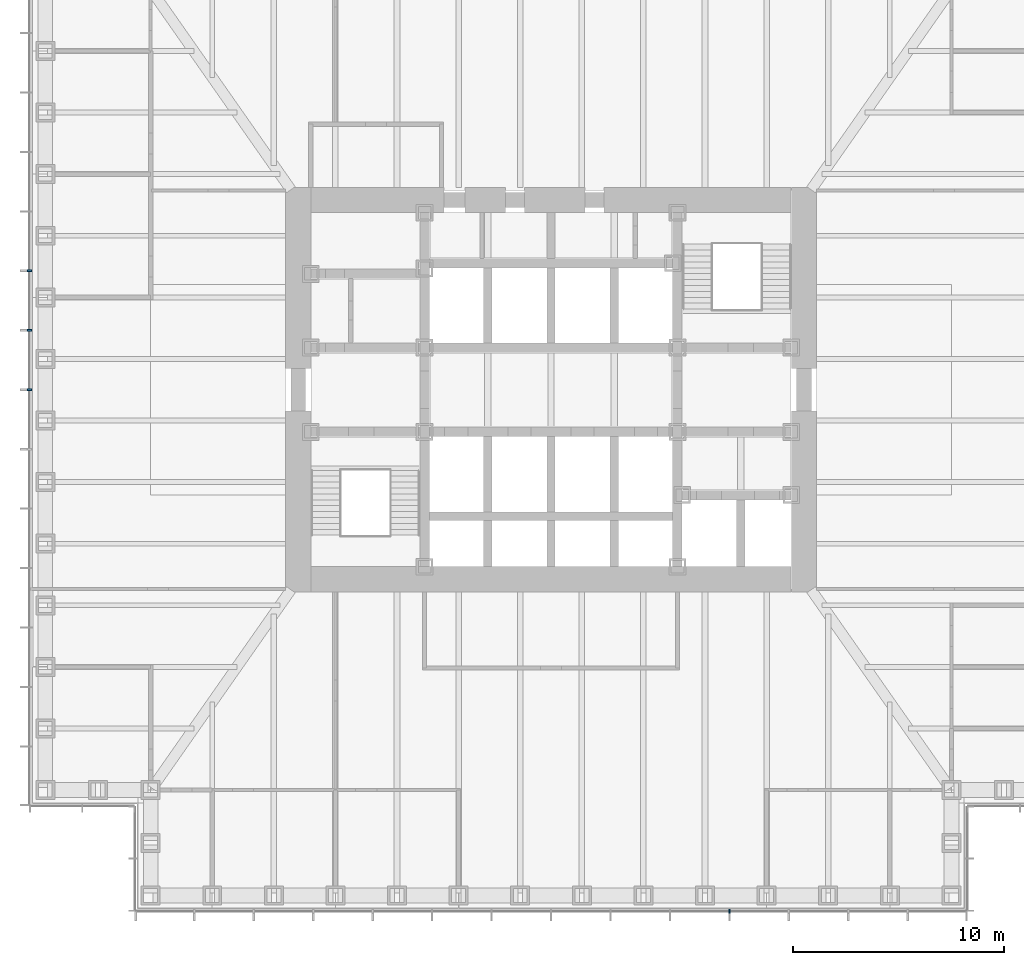
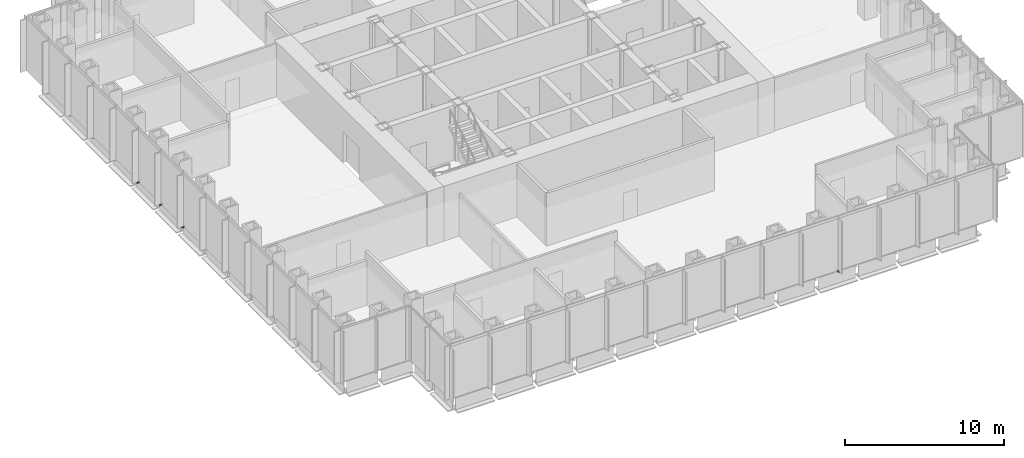
# One storey, part 13 of 17: 4 discrete accessories.
"""IFC4 building model written with IfcOpenShell, lengths in metres."""

import ifcopenshell
import ifcopenshell.guid

model = None  # the IFC model being written
_history = None  # IfcOwnerHistory: only IFC2X3 demands one
_inside = {}  # id of a spatial element -> (the spatial element, [elements in it])
_under = {}  # id of a project, library or spatial element -> (it, [spatial elements below it])
_declared = {}  # id of a project -> (the project, [libraries it declares])
_typed = {}  # id of a type object -> (the type object, [elements of that type])
_made_of = {}  # id of a material, layer set ... -> (it, [elements and type objects made of it])


def new_model(schema):
    """Start an empty IFC model of exactly this schema.

    Asked for "IFC4X3", IfcOpenShell would pick the latest addendum, in which some entities
    have other attributes; the version numbers below select the first issue.
    IFC2X3 requires an IfcOwnerHistory on every rooted entity: one is made here for all.
    """
    global model, _history
    if schema == "IFC4X3":
        model = ifcopenshell.file(schema_version=(4, 3, 0, 0))
    else:
        model = ifcopenshell.file(schema=schema)
    _inside.clear()
    _under.clear()
    _declared.clear()
    _typed.clear()
    _made_of.clear()
    _history = None
    if model.schema == "IFC2X3":
        org = make("IfcOrganization", Name="unknown")
        user = make(
            "IfcPersonAndOrganization",
            ThePerson=make("IfcPerson", FamilyName="unknown"),
            TheOrganization=org,
        )
        app = make(
            "IfcApplication",
            ApplicationDeveloper=org,
            Version="unknown",
            ApplicationFullName="unknown",
            ApplicationIdentifier="unknown",
        )
        _history = make(
            "IfcOwnerHistory",
            OwningUser=user,
            OwningApplication=app,
            ChangeAction="ADDED",
            CreationDate=0,
        )
    return model


def make(cls, **values):
    """One entity of the class cls with the attributes given. An attribute that is None is left unset."""
    return model.create_entity(
        cls, **{name: value for name, value in values.items() if value is not None}
    )


def rooted(cls, **values):
    """An entity with a GlobalId (a new one), such as an element, a storey or a relation."""
    return make(cls, GlobalId=ifcopenshell.guid.new(), OwnerHistory=_history, **values)


def si_unit(unit_type, name, prefix=None):
    """IfcSIUnit, for example si_unit("LENGTHUNIT", "METRE", prefix="MILLI")."""
    return make("IfcSIUnit", UnitType=unit_type, Prefix=prefix, Name=name)


def assignment(units):
    """IfcUnitAssignment: the units of a project."""
    return None if units is None else make("IfcUnitAssignment", Units=units)


def point(xyz):
    """IfcCartesianPoint."""
    return None if xyz is None else make("IfcCartesianPoint", Coordinates=xyz)


def direction(xyz):
    """IfcDirection."""
    return None if xyz is None else make("IfcDirection", DirectionRatios=xyz)


def frame(location, z_axis=None, x_axis=None):
    """IfcAxis2Placement3D, a coordinate frame: its origin and axes. An axis left out is left unset."""
    return make(
        "IfcAxis2Placement3D",
        Location=point(location),
        Axis=direction(z_axis),
        RefDirection=direction(x_axis),
    )


def frame_2d(location, x_axis=None):
    """IfcAxis2Placement2D, a coordinate frame in the plane: its origin and x axis."""
    return make(
        "IfcAxis2Placement2D", Location=point(location), RefDirection=direction(x_axis)
    )


def origin():
    """The frame at (0, 0, 0) with its axes left unset."""
    return frame((0.0, 0.0, 0.0))


def origin_2d():
    """The frame at (0, 0) in the plane with its x axis left unset."""
    return frame_2d((0.0, 0.0))


def place(relative_to, where):
    """IfcLocalPlacement: puts the frame where relative to a parent placement (None: the world)."""
    return make(
        "IfcLocalPlacement", PlacementRelTo=relative_to, RelativePlacement=where
    )


def context(
    kind, dimensions, precision=None, world=None, true_north=None, identifier=None
):
    """IfcGeometricRepresentationContext, for example the 3D "Model" context."""
    return make(
        "IfcGeometricRepresentationContext",
        ContextIdentifier=identifier,
        ContextType=kind,
        CoordinateSpaceDimension=dimensions,
        Precision=precision,
        WorldCoordinateSystem=world,
        TrueNorth=true_north,
    )


def subcontext(parent, identifier, kind, view, scale=None):
    """IfcGeometricRepresentationSubContext, for example "Body" below "Model"."""
    return make(
        "IfcGeometricRepresentationSubContext",
        ContextIdentifier=identifier,
        ContextType=kind,
        ParentContext=parent,
        TargetScale=scale,
        TargetView=view,
    )


def project(units=None, contexts=None):
    """IfcProject with its units and contexts."""
    return rooted(
        "IfcProject",
        Name="project",
        RepresentationContexts=contexts,
        UnitsInContext=assignment(units),
    )


def spatial(cls, under=None, at=None, **own):
    """A site, building, storey or space (cls), placed at a placement, below another one or the project."""
    s = rooted(cls, ObjectPlacement=at, **own)
    if under is not None:
        _under.setdefault(under.id(), (under, []))[1].append(s)
    return s


def profile(cls, at=None, kind="AREA", **sizes):
    """A parametric profile (cls). Its sizes go by their IFC names, for example OverallWidth=200.0."""
    return make(cls, ProfileType=kind, Position=at, **sizes)


def rectangle(**sizes):
    """IfcRectangleProfileDef."""
    return profile("IfcRectangleProfileDef", **sizes)


def extrude(swept, where, along, depth):
    """IfcExtrudedAreaSolid: the profile swept, set in the frame where, extruded along a direction by depth."""
    return make(
        "IfcExtrudedAreaSolid",
        SweptArea=swept,
        Position=where,
        ExtrudedDirection=direction(along),
        Depth=depth,
    )


def shape(context_of_items, identifier, shape_type, items):
    """IfcShapeRepresentation: the items that make up one representation, for example the "Body"."""
    return make(
        "IfcShapeRepresentation",
        ContextOfItems=context_of_items,
        RepresentationIdentifier=identifier,
        RepresentationType=shape_type,
        Items=items,
    )


def made_of(thing, what):
    """Note that an element or type object is made of a material, layer set ...; save() writes the relation."""
    if what is not None:
        _made_of.setdefault(what.id(), (what, []))[1].append(thing)
    return thing


def element(
    cls,
    number,
    at=None,
    inside=None,
    cuts=None,
    type_object=None,
    material=None,
    context=None,
    identifier="Body",
    shape_type=None,
    held_by="IfcProductDefinitionShape",
    body=None,
    shapes=None,
    **own,
):
    """One element of the class cls, such as IfcWall. Its Tag is "e" and its number.

    at: its placement. inside: the storey or other place that contains it. cuts: it is an
    opening in that element (IfcRelVoidsElement). A single representation is given by context,
    identifier, shape_type and body (its items); several are given by shapes. held_by: the class
    of the entity that holds the representations. save() writes the other relations.
    """
    e = rooted(cls, Tag="e%d" % number, ObjectPlacement=at, **own)
    if body is not None:
        shapes = [shape(context, identifier, shape_type, body)]
    if shapes is not None:
        e.Representation = make(held_by, Representations=shapes)
    if inside is not None:
        _inside.setdefault(inside.id(), (inside, []))[1].append(e)
    if cuts is not None:
        rooted(
            "IfcRelVoidsElement", RelatingBuildingElement=cuts, RelatedOpeningElement=e
        )
    if type_object is not None:
        _typed.setdefault(type_object.id(), (type_object, []))[1].append(e)
    return made_of(e, material)


def aggregate(whole, parts):
    """IfcRelAggregates: a whole, such as a stair, and the parts it consists of."""
    return rooted("IfcRelAggregates", RelatingObject=whole, RelatedObjects=parts)


def save(model, path):
    """Write the relations noted so far, then the file.

    IfcRelAggregates (storeys below a building ...), IfcRelContainedInSpatialStructure (elements
    in a storey), IfcRelDefinesByType, IfcRelAssociatesMaterial and IfcRelDeclares: one each for
    every whole, place, type object, material and project.
    """
    for whole, parts in _under.values():
        aggregate(whole, parts)
    for where, things in _inside.values():
        rooted(
            "IfcRelContainedInSpatialStructure",
            RelatedElements=things,
            RelatingStructure=where,
        )
    for kind, things in _typed.values():
        rooted("IfcRelDefinesByType", RelatedObjects=things, RelatingType=kind)
    for what, things in _made_of.values():
        rooted("IfcRelAssociatesMaterial", RelatedObjects=things, RelatingMaterial=what)
    for by, libraries in _declared.values():
        rooted("IfcRelDeclares", RelatingContext=by, RelatedDefinitions=libraries)
    model.write(path)


model = new_model("IFC4")

# Units and contexts
model_context = context("Model", 3, precision=1e-05, world=origin(), true_north=direction((0.0, 1.0)))
body_context = subcontext(model_context, "Body", "Model", "MODEL_VIEW")
ifc_project = project(units=[si_unit("LENGTHUNIT", "METRE"), si_unit("AREAUNIT", "SQUARE_METRE"), si_unit("VOLUMEUNIT", "CUBIC_METRE"), si_unit("PLANEANGLEUNIT", "RADIAN"), si_unit("MASSUNIT", "GRAM", prefix="KILO")], contexts=[model_context])

# Site, building, storey
site_placement = place(None, origin())
site = spatial("IfcSite", under=ifc_project, at=site_placement, CompositionType="ELEMENT")
building_placement = place(site_placement, origin())
building = spatial("IfcBuilding", under=site, at=building_placement, Name="Daluyong Arena Tower", CompositionType="ELEMENT")
storey_placement = place(building_placement, frame((0.0, 0.0, 89.5)))
storey = spatial("IfcBuildingStorey", under=building, at=storey_placement, Name="L19", CompositionType="ELEMENT", Elevation=89.5)

# Discrete accessories
for number, where, z_axis, x_axis, name in (
    (1, (64.46435546875, 55.25, -0.10009765625), (0.0, 0.0, 1.0), (1.0, 0.0, 0.0), "curtain wall L19 S anchor bracket 11"),
    (2, (31.25, 85.642822265625, -0.10009765625), (0.0, 0.0, 1.0), (0.0, -1.0, 0.0), "curtain wall L19 W anchor bracket 6"),
    (3, (31.25, 82.821533203125, -0.10009765625), (0.0, 0.0, 1.0), (0.0, -1.0, 0.0), "curtain wall L19 W anchor bracket 7"),
    (4, (31.25, 80.0, -0.10009765625), (0.0, 0.0, 1.0), (0.0, -1.0, 0.0), "curtain wall L19 W anchor bracket 8"),
):
    element("IfcDiscreteAccessory", number, at=place(storey_placement, frame(where, z_axis=z_axis, x_axis=x_axis)), inside=storey, Name=name, PredefinedType="BRACKET", context=body_context, shape_type="SweptSolid", body=[
        extrude(rectangle(XDim=0.080078125, YDim=0.199951171875, at=origin_2d()), origin(), (0.0, 0.0, 1.0), 0.10009765625),
    ])

save(model, "model.ifc")
